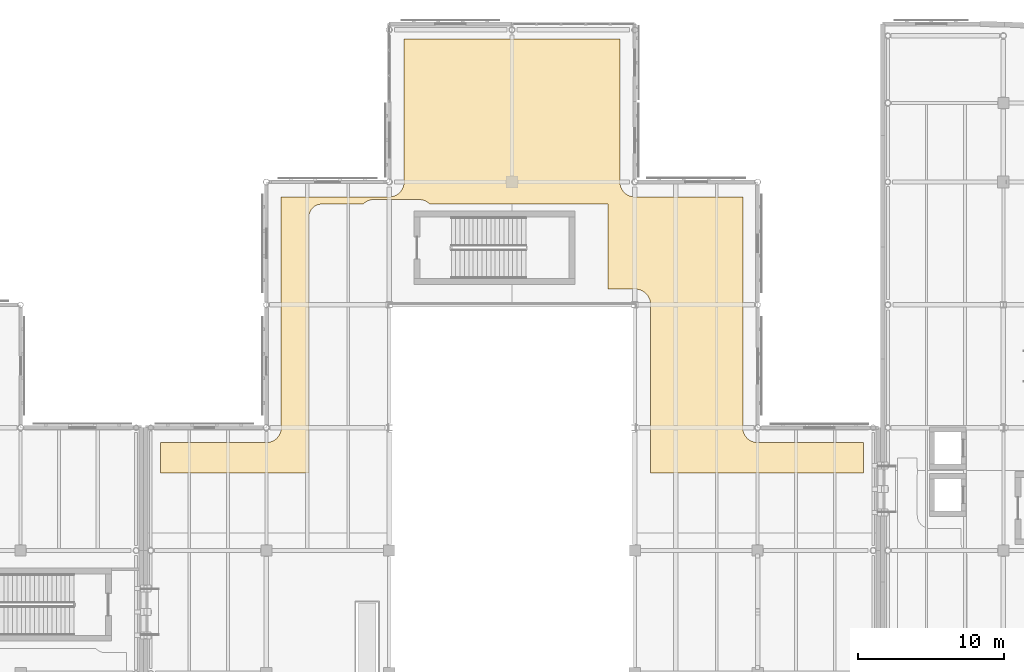
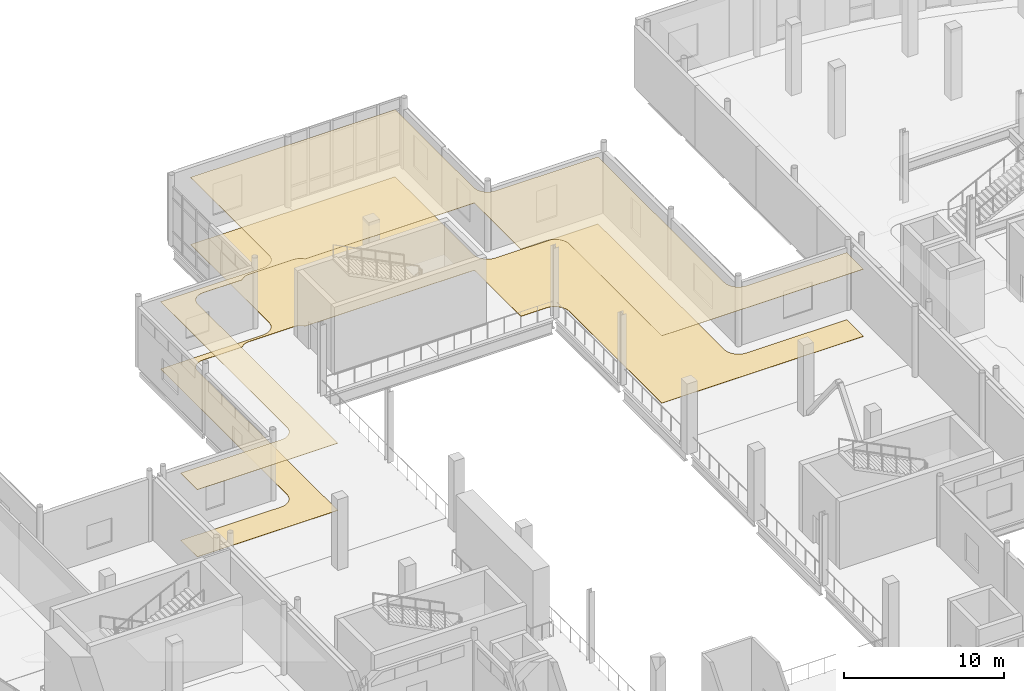
# One storey, part 101 of 110: 2 coverings.
"""IFC4 building model written with IfcOpenShell, lengths in metres."""

from ifc_helpers import new_model, si_unit, direction, frame, origin, place, context, subcontext, project, spatial, polyline, outline, extrude, material, layer, layer_set, type_object, element, save


model = new_model("IFC4")

# Units and contexts
model_context = context("Model", 3, precision=1e-05, world=origin(), true_north=direction((0.0, 1.0)))
body_context = subcontext(model_context, "Body", "Model", "MODEL_VIEW")
ifc_project = project(units=[si_unit("LENGTHUNIT", "METRE"), si_unit("AREAUNIT", "SQUARE_METRE"), si_unit("VOLUMEUNIT", "CUBIC_METRE"), si_unit("PLANEANGLEUNIT", "RADIAN"), si_unit("MASSUNIT", "GRAM", prefix="KILO"), si_unit("THERMODYNAMICTEMPERATUREUNIT", "KELVIN")], contexts=[model_context])

# Site, building, storey
site_placement = place(None, origin())
site = spatial("IfcSite", under=ifc_project, at=site_placement, CompositionType="ELEMENT")
building_placement = place(site_placement, origin())
building = spatial("IfcBuilding", under=site, at=building_placement, Name="Lustrewick Department Store", CompositionType="ELEMENT")
storey_placement = place(building_placement, frame((0.0, 0.0, 6.0)))
storey = spatial("IfcBuildingStorey", under=building, at=storey_placement, Name="L02", CompositionType="ELEMENT", Elevation=6.0)

# Coverings
ifc_material_1 = material(Name="Perforated mineral-fibre acoustic ceiling board", Category="gypsum")
ifc_layer_1 = layer(ifc_material_1, 0.02490234375, Name="Perforated mineral-fibre acoustic ceiling board")
ifc_layer_set_1 = layer_set([ifc_layer_1], Name="Perforated mineral-fibre acoustic ceiling board")
covering_type_1 = type_object("IfcCoveringType", Name="COV-CEIL", PredefinedType="CEILING", material=ifc_layer_set_1)
covering_1_placement = place(storey_placement, frame((0.0, 0.0, 5.1201171875)))
element("IfcCovering", 1, at=covering_1_placement, inside=storey, type_object=covering_type_1, Name="L02 Children Toy and Apparel Shop Acoustic Ceiling", PredefinedType="CEILING", context=body_context, shape_type="SweptSolid", body=[
    extrude(outline(polyline([(59.969970703125, 82.97998046875), (59.969970703125, 80.8896484375), (70.110107421875, 80.8896484375), (70.110107421875, 98.403076171875), (70.1142578125, 98.48779296875), (70.126708984375, 98.571533203125), (70.12744140625, 98.574951171875), (70.131103515625, 98.592529296875), (70.1318359375, 98.595703125), (70.154541015625, 98.678466796875), (70.185302734375, 98.758544921875), (70.1865234375, 98.76123046875), (70.187744140625, 98.763671875), (70.22119140625, 98.83056640625), (70.223388671875, 98.83447265625), (70.260986328125, 98.89599609375), (70.303466796875, 98.9541015625), (70.30712890625, 98.95849609375), (70.37060546875, 99.029296875), (70.44140625, 99.093017578125), (70.446044921875, 99.096435546875), (70.504150390625, 99.13916015625), (70.565673828125, 99.1767578125), (70.569580078125, 99.178955078125), (70.63623046875, 99.212158203125), (70.6416015625, 99.214599609375), (70.721435546875, 99.24560546875), (70.80419921875, 99.268310546875), (70.8076171875, 99.268798828125), (70.824951171875, 99.272705078125), (70.828369140625, 99.273193359375), (70.912353515625, 99.285888671875), (70.9970703125, 99.2900390625), (73.835205078125, 99.2900390625), (73.87060546875, 99.329345703125), (73.94140625, 99.392822265625), (73.946044921875, 99.396484375), (74.004150390625, 99.439208984375), (74.065673828125, 99.476806640625), (74.069580078125, 99.47900390625), (74.13623046875, 99.51220703125), (74.1416015625, 99.5146484375), (74.221435546875, 99.54541015625), (74.30419921875, 99.568115234375), (74.3076171875, 99.56884765625), (74.324951171875, 99.572509765625), (74.328369140625, 99.5732421875), (74.412353515625, 99.585693359375), (74.4970703125, 99.590087890625), (77.702880859375, 99.590087890625), (77.78759765625, 99.585693359375), (77.87158203125, 99.5732421875), (77.875, 99.572509765625), (77.892578125, 99.56884765625), (77.895751953125, 99.568115234375), (77.978515625, 99.54541015625), (78.05859375, 99.5146484375), (78.063720703125, 99.51220703125), (78.130615234375, 99.47900390625), (78.134521484375, 99.476806640625), (78.19580078125, 99.439208984375), (78.25390625, 99.396484375), (78.258544921875, 99.392822265625), (78.329345703125, 99.329345703125), (78.36474609375, 99.2900390625), (87.903076171875, 99.2900390625), (87.98779296875, 99.285888671875), (88.026611328125, 99.280029296875), (90.580078125, 99.280029296875), (90.580078125, 93.47998046875), (92.40087890625, 93.47998046875), (92.44384765625, 93.47900390625), (92.46630859375, 93.477783203125), (92.54345703125, 93.47021484375), (92.566650390625, 93.466796875), (92.651611328125, 93.4501953125), (92.674560546875, 93.4443359375), (92.75341796875, 93.42041015625), (92.775390625, 93.41259765625), (92.850341796875, 93.381591796875), (92.87158203125, 93.371337890625), (92.946044921875, 93.33154296875), (92.96630859375, 93.319580078125), (93.033203125, 93.274658203125), (93.05224609375, 93.260498046875), (93.117919921875, 93.206787109375), (93.13525390625, 93.19091796875), (93.19091796875, 93.13525390625), (93.206787109375, 93.117919921875), (93.260498046875, 93.05224609375), (93.274658203125, 93.033203125), (93.319580078125, 92.96630859375), (93.33154296875, 92.946044921875), (93.371337890625, 92.87158203125), (93.381591796875, 92.850341796875), (93.41259765625, 92.775390625), (93.42041015625, 92.75341796875), (93.4443359375, 92.674560546875), (93.4501953125, 92.651611328125), (93.466796875, 92.566650390625), (93.47021484375, 92.54345703125), (93.477783203125, 92.46630859375), (93.47900390625, 92.44384765625), (93.47998046875, 92.40087890625), (93.47998046875, 80.8896484375), (108.030029296875, 80.8896484375), (108.030029296875, 82.97998046875), (100.799072265625, 82.97998046875), (100.756103515625, 82.981201171875), (100.739501953125, 82.98193359375), (100.66015625, 82.98974609375), (100.642578125, 82.9921875), (100.562744140625, 83.008056640625), (100.54541015625, 83.012451171875), (100.462158203125, 83.03759765625), (100.445556640625, 83.043701171875), (100.375244140625, 83.07275390625), (100.359375, 83.080322265625), (100.281982421875, 83.121337890625), (100.266845703125, 83.130615234375), (100.19775390625, 83.177001953125), (100.183837890625, 83.1875), (100.123291015625, 83.237060546875), (100.110107421875, 83.248779296875), (100.048828125, 83.31005859375), (100.037109375, 83.3232421875), (99.9873046875, 83.3837890625), (99.976806640625, 83.397705078125), (99.9306640625, 83.466796875), (99.92138671875, 83.482177734375), (99.88037109375, 83.559326171875), (99.872802734375, 83.5751953125), (99.84375, 83.6455078125), (99.837646484375, 83.662109375), (99.8125, 83.74560546875), (99.80810546875, 83.7626953125), (99.792236328125, 83.8427734375), (99.789794921875, 83.860107421875), (99.781982421875, 83.939453125), (99.781005859375, 83.9560546875), (99.780029296875, 83.9990234375), (99.780029296875, 99.780029296875), (92.39892578125, 99.780029296875), (92.356201171875, 99.781005859375), (92.339599609375, 99.781982421875), (92.260009765625, 99.789794921875), (92.24267578125, 99.792236328125), (92.16259765625, 99.80810546875), (92.1455078125, 99.8125), (92.062255859375, 99.837646484375), (92.04541015625, 99.84375), (91.97509765625, 99.872802734375), (91.959228515625, 99.88037109375), (91.882080078125, 99.92138671875), (91.86669921875, 99.9306640625), (91.7978515625, 99.976806640625), (91.78369140625, 99.9873046875), (91.72314453125, 100.037109375), (91.710205078125, 100.048828125), (91.64892578125, 100.110107421875), (91.63720703125, 100.123291015625), (91.58740234375, 100.183837890625), (91.576904296875, 100.19775390625), (91.530517578125, 100.266845703125), (91.521484375, 100.281982421875), (91.480224609375, 100.359375), (91.472900390625, 100.375244140625), (91.443603515625, 100.445556640625), (91.437744140625, 100.462158203125), (91.412353515625, 100.54541015625), (91.408203125, 100.562744140625), (91.392333984375, 100.642578125), (91.389892578125, 100.66015625), (91.3818359375, 100.739501953125), (91.381103515625, 100.756103515625), (91.3798828125, 100.799072265625), (91.3798828125, 110.580078125), (76.6201171875, 110.580078125), (76.6201171875, 100.799072265625), (76.618896484375, 100.756103515625), (76.6181640625, 100.739501953125), (76.610107421875, 100.66015625), (76.607666015625, 100.642578125), (76.591796875, 100.562744140625), (76.587646484375, 100.54541015625), (76.562255859375, 100.462158203125), (76.556396484375, 100.445556640625), (76.527099609375, 100.375244140625), (76.519775390625, 100.359375), (76.478515625, 100.281982421875), (76.469482421875, 100.266845703125), (76.423095703125, 100.19775390625), (76.41259765625, 100.183837890625), (76.36279296875, 100.123291015625), (76.35107421875, 100.110107421875), (76.289794921875, 100.048828125), (76.27685546875, 100.037109375), (76.21630859375, 99.9873046875), (76.2021484375, 99.976806640625), (76.13330078125, 99.9306640625), (76.117919921875, 99.92138671875), (76.040771484375, 99.88037109375), (76.02490234375, 99.872802734375), (75.95458984375, 99.84375), (75.937744140625, 99.837646484375), (75.8544921875, 99.8125), (75.83740234375, 99.80810546875), (75.75732421875, 99.792236328125), (75.739990234375, 99.789794921875), (75.660400390625, 99.781982421875), (75.643798828125, 99.781005859375), (75.60107421875, 99.780029296875), (68.219970703125, 99.780029296875), (68.219970703125, 83.9990234375), (68.218994140625, 83.9560546875), (68.218017578125, 83.939453125), (68.210205078125, 83.860107421875), (68.207763671875, 83.8427734375), (68.19189453125, 83.7626953125), (68.1875, 83.74560546875), (68.162353515625, 83.662109375), (68.15625, 83.6455078125), (68.127197265625, 83.5751953125), (68.11962890625, 83.559326171875), (68.07861328125, 83.482177734375), (68.0693359375, 83.466796875), (68.023193359375, 83.397705078125), (68.0126953125, 83.3837890625), (67.962890625, 83.3232421875), (67.951171875, 83.31005859375), (67.889892578125, 83.248779296875), (67.876708984375, 83.237060546875), (67.816162109375, 83.1875), (67.80224609375, 83.177001953125), (67.733154296875, 83.130615234375), (67.718017578125, 83.121337890625), (67.640625, 83.080322265625), (67.624755859375, 83.07275390625), (67.554443359375, 83.043701171875), (67.537841796875, 83.03759765625), (67.45458984375, 83.012451171875), (67.437255859375, 83.008056640625), (67.357421875, 82.9921875), (67.33984375, 82.98974609375), (67.260498046875, 82.98193359375), (67.243896484375, 82.981201171875), (67.200927734375, 82.97998046875), (59.969970703125, 82.97998046875)])), origin(), (0.0, 0.0, 1.0), 0.02490234375),
])
ifc_material_2 = material(Name="Polished terrazzo and porcelain floor finish", Category="masonry")
ifc_layer_2 = layer(ifc_material_2, 0.02001953125, Name="Polished terrazzo and porcelain floor finish")
ifc_layer_set_2 = layer_set([ifc_layer_2], Name="Polished terrazzo and porcelain floor finish")
covering_type_2 = type_object("IfcCoveringType", Name="COV-FLR", PredefinedType="FLOORING", material=ifc_layer_set_2)
covering_2_placement = place(storey_placement, origin())
element("IfcCovering", 2, at=covering_2_placement, inside=storey, type_object=covering_type_2, Name="L02 Children Toy and Apparel Shop Terrazzo Flooring", PredefinedType="FLOORING", context=body_context, shape_type="SweptSolid", body=[
    extrude(outline(polyline([(59.969970703125, 82.97998046875), (59.969970703125, 80.8896484375), (70.110107421875, 80.8896484375), (70.110107421875, 98.403076171875), (70.1142578125, 98.48779296875), (70.126708984375, 98.571533203125), (70.12744140625, 98.574951171875), (70.131103515625, 98.592529296875), (70.1318359375, 98.595703125), (70.154541015625, 98.678466796875), (70.185302734375, 98.758544921875), (70.1865234375, 98.76123046875), (70.187744140625, 98.763671875), (70.22119140625, 98.83056640625), (70.223388671875, 98.83447265625), (70.260986328125, 98.89599609375), (70.303466796875, 98.9541015625), (70.30712890625, 98.95849609375), (70.37060546875, 99.029296875), (70.44140625, 99.093017578125), (70.446044921875, 99.096435546875), (70.504150390625, 99.13916015625), (70.565673828125, 99.1767578125), (70.569580078125, 99.178955078125), (70.63623046875, 99.212158203125), (70.6416015625, 99.214599609375), (70.721435546875, 99.24560546875), (70.80419921875, 99.268310546875), (70.8076171875, 99.268798828125), (70.824951171875, 99.272705078125), (70.828369140625, 99.273193359375), (70.912353515625, 99.285888671875), (70.9970703125, 99.2900390625), (73.835205078125, 99.2900390625), (73.87060546875, 99.329345703125), (73.94140625, 99.392822265625), (73.946044921875, 99.396484375), (74.004150390625, 99.439208984375), (74.065673828125, 99.476806640625), (74.069580078125, 99.47900390625), (74.13623046875, 99.51220703125), (74.1416015625, 99.5146484375), (74.221435546875, 99.54541015625), (74.30419921875, 99.568115234375), (74.3076171875, 99.56884765625), (74.324951171875, 99.572509765625), (74.328369140625, 99.5732421875), (74.412353515625, 99.585693359375), (74.4970703125, 99.590087890625), (77.702880859375, 99.590087890625), (77.78759765625, 99.585693359375), (77.87158203125, 99.5732421875), (77.875, 99.572509765625), (77.892578125, 99.56884765625), (77.895751953125, 99.568115234375), (77.978515625, 99.54541015625), (78.05859375, 99.5146484375), (78.063720703125, 99.51220703125), (78.130615234375, 99.47900390625), (78.134521484375, 99.476806640625), (78.19580078125, 99.439208984375), (78.25390625, 99.396484375), (78.258544921875, 99.392822265625), (78.329345703125, 99.329345703125), (78.36474609375, 99.2900390625), (87.903076171875, 99.2900390625), (87.98779296875, 99.285888671875), (88.026611328125, 99.280029296875), (90.580078125, 99.280029296875), (90.580078125, 93.47998046875), (92.40087890625, 93.47998046875), (92.44384765625, 93.47900390625), (92.46630859375, 93.477783203125), (92.54345703125, 93.47021484375), (92.566650390625, 93.466796875), (92.651611328125, 93.4501953125), (92.674560546875, 93.4443359375), (92.75341796875, 93.42041015625), (92.775390625, 93.41259765625), (92.850341796875, 93.381591796875), (92.87158203125, 93.371337890625), (92.946044921875, 93.33154296875), (92.96630859375, 93.319580078125), (93.033203125, 93.274658203125), (93.05224609375, 93.260498046875), (93.117919921875, 93.206787109375), (93.13525390625, 93.19091796875), (93.19091796875, 93.13525390625), (93.206787109375, 93.117919921875), (93.260498046875, 93.05224609375), (93.274658203125, 93.033203125), (93.319580078125, 92.96630859375), (93.33154296875, 92.946044921875), (93.371337890625, 92.87158203125), (93.381591796875, 92.850341796875), (93.41259765625, 92.775390625), (93.42041015625, 92.75341796875), (93.4443359375, 92.674560546875), (93.4501953125, 92.651611328125), (93.466796875, 92.566650390625), (93.47021484375, 92.54345703125), (93.477783203125, 92.46630859375), (93.47900390625, 92.44384765625), (93.47998046875, 92.40087890625), (93.47998046875, 80.8896484375), (108.030029296875, 80.8896484375), (108.030029296875, 82.97998046875), (100.799072265625, 82.97998046875), (100.756103515625, 82.981201171875), (100.739501953125, 82.98193359375), (100.66015625, 82.98974609375), (100.642578125, 82.9921875), (100.562744140625, 83.008056640625), (100.54541015625, 83.012451171875), (100.462158203125, 83.03759765625), (100.445556640625, 83.043701171875), (100.375244140625, 83.07275390625), (100.359375, 83.080322265625), (100.281982421875, 83.121337890625), (100.266845703125, 83.130615234375), (100.19775390625, 83.177001953125), (100.183837890625, 83.1875), (100.123291015625, 83.237060546875), (100.110107421875, 83.248779296875), (100.048828125, 83.31005859375), (100.037109375, 83.3232421875), (99.9873046875, 83.3837890625), (99.976806640625, 83.397705078125), (99.9306640625, 83.466796875), (99.92138671875, 83.482177734375), (99.88037109375, 83.559326171875), (99.872802734375, 83.5751953125), (99.84375, 83.6455078125), (99.837646484375, 83.662109375), (99.8125, 83.74560546875), (99.80810546875, 83.7626953125), (99.792236328125, 83.8427734375), (99.789794921875, 83.860107421875), (99.781982421875, 83.939453125), (99.781005859375, 83.9560546875), (99.780029296875, 83.9990234375), (99.780029296875, 99.780029296875), (92.39892578125, 99.780029296875), (92.356201171875, 99.781005859375), (92.339599609375, 99.781982421875), (92.260009765625, 99.789794921875), (92.24267578125, 99.792236328125), (92.16259765625, 99.80810546875), (92.1455078125, 99.8125), (92.062255859375, 99.837646484375), (92.04541015625, 99.84375), (91.97509765625, 99.872802734375), (91.959228515625, 99.88037109375), (91.882080078125, 99.92138671875), (91.86669921875, 99.9306640625), (91.7978515625, 99.976806640625), (91.78369140625, 99.9873046875), (91.72314453125, 100.037109375), (91.710205078125, 100.048828125), (91.64892578125, 100.110107421875), (91.63720703125, 100.123291015625), (91.58740234375, 100.183837890625), (91.576904296875, 100.19775390625), (91.530517578125, 100.266845703125), (91.521484375, 100.281982421875), (91.480224609375, 100.359375), (91.472900390625, 100.375244140625), (91.443603515625, 100.445556640625), (91.437744140625, 100.462158203125), (91.412353515625, 100.54541015625), (91.408203125, 100.562744140625), (91.392333984375, 100.642578125), (91.389892578125, 100.66015625), (91.3818359375, 100.739501953125), (91.381103515625, 100.756103515625), (91.3798828125, 100.799072265625), (91.3798828125, 110.580078125), (76.6201171875, 110.580078125), (76.6201171875, 100.799072265625), (76.618896484375, 100.756103515625), (76.6181640625, 100.739501953125), (76.610107421875, 100.66015625), (76.607666015625, 100.642578125), (76.591796875, 100.562744140625), (76.587646484375, 100.54541015625), (76.562255859375, 100.462158203125), (76.556396484375, 100.445556640625), (76.527099609375, 100.375244140625), (76.519775390625, 100.359375), (76.478515625, 100.281982421875), (76.469482421875, 100.266845703125), (76.423095703125, 100.19775390625), (76.41259765625, 100.183837890625), (76.36279296875, 100.123291015625), (76.35107421875, 100.110107421875), (76.289794921875, 100.048828125), (76.27685546875, 100.037109375), (76.21630859375, 99.9873046875), (76.2021484375, 99.976806640625), (76.13330078125, 99.9306640625), (76.117919921875, 99.92138671875), (76.040771484375, 99.88037109375), (76.02490234375, 99.872802734375), (75.95458984375, 99.84375), (75.937744140625, 99.837646484375), (75.8544921875, 99.8125), (75.83740234375, 99.80810546875), (75.75732421875, 99.792236328125), (75.739990234375, 99.789794921875), (75.660400390625, 99.781982421875), (75.643798828125, 99.781005859375), (75.60107421875, 99.780029296875), (68.219970703125, 99.780029296875), (68.219970703125, 83.9990234375), (68.218994140625, 83.9560546875), (68.218017578125, 83.939453125), (68.210205078125, 83.860107421875), (68.207763671875, 83.8427734375), (68.19189453125, 83.7626953125), (68.1875, 83.74560546875), (68.162353515625, 83.662109375), (68.15625, 83.6455078125), (68.127197265625, 83.5751953125), (68.11962890625, 83.559326171875), (68.07861328125, 83.482177734375), (68.0693359375, 83.466796875), (68.023193359375, 83.397705078125), (68.0126953125, 83.3837890625), (67.962890625, 83.3232421875), (67.951171875, 83.31005859375), (67.889892578125, 83.248779296875), (67.876708984375, 83.237060546875), (67.816162109375, 83.1875), (67.80224609375, 83.177001953125), (67.733154296875, 83.130615234375), (67.718017578125, 83.121337890625), (67.640625, 83.080322265625), (67.624755859375, 83.07275390625), (67.554443359375, 83.043701171875), (67.537841796875, 83.03759765625), (67.45458984375, 83.012451171875), (67.437255859375, 83.008056640625), (67.357421875, 82.9921875), (67.33984375, 82.98974609375), (67.260498046875, 82.98193359375), (67.243896484375, 82.981201171875), (67.200927734375, 82.97998046875), (59.969970703125, 82.97998046875)])), origin(), (0.0, 0.0, 1.0), 0.02001953125),
])

save(model, "model.ifc")
